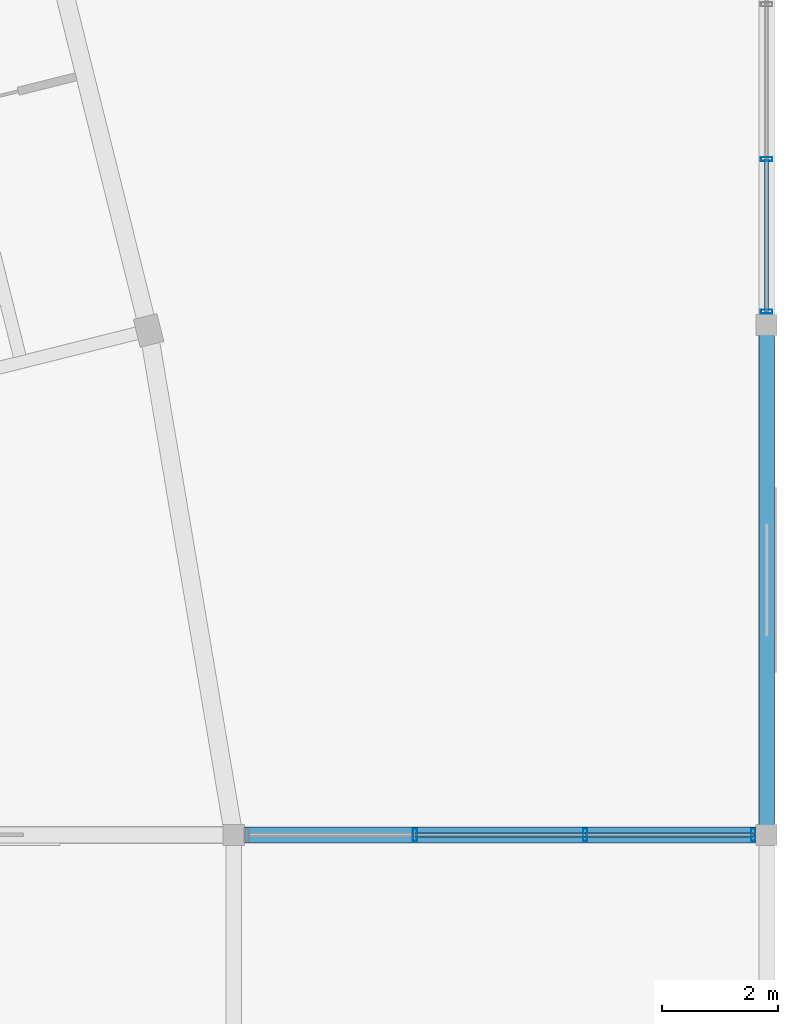
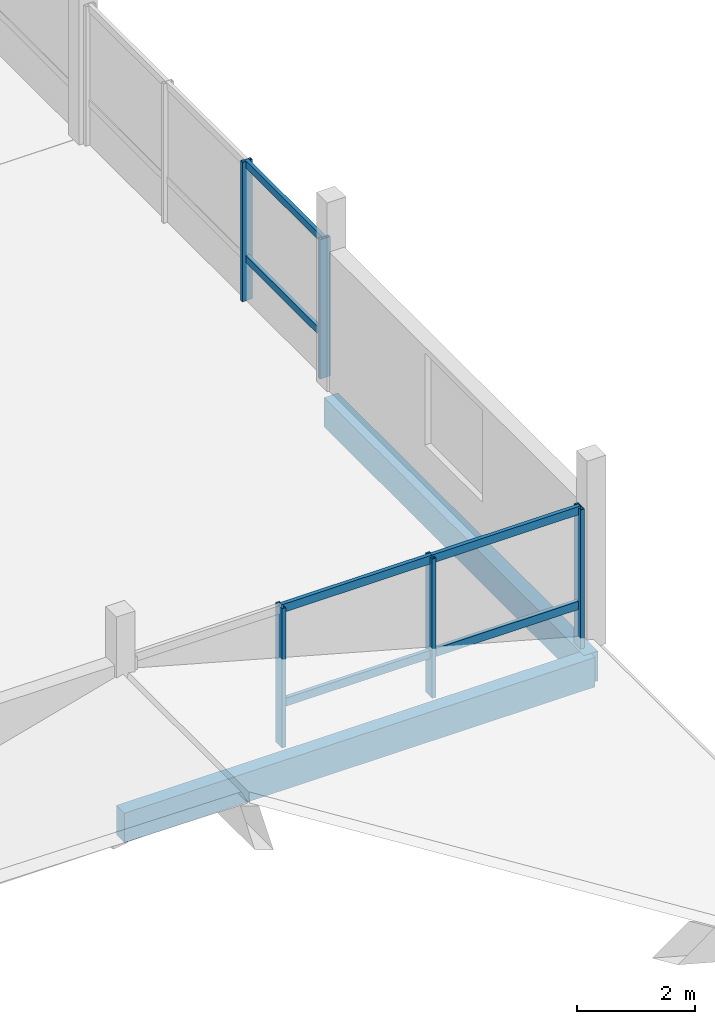
# One storey, part 19 of 39: 11 members, 2 beams, 2 elements without a shape of their own.
"""IFC4 building model written with IfcOpenShell, lengths in metres."""

from ifc_helpers import new_model, si_unit, direction, frame, origin, origin_2d, place, context, subcontext, project, spatial, rectangle, hollow_rectangle, extrude, material, layer, layer_set, material_profile, profile_set, type_object, element, aggregate, save


model = new_model("IFC4")

# Units and contexts
model_context = context("Model", 3, precision=1e-05, world=origin(), true_north=direction((0.0, 1.0)))
body_context = subcontext(model_context, "Body", "Model", "MODEL_VIEW")
ifc_project = project(units=[si_unit("LENGTHUNIT", "METRE"), si_unit("AREAUNIT", "SQUARE_METRE"), si_unit("VOLUMEUNIT", "CUBIC_METRE"), si_unit("PLANEANGLEUNIT", "RADIAN"), si_unit("MASSUNIT", "GRAM", prefix="KILO")], contexts=[model_context])

# Site, building, storey
site_placement = place(None, origin())
site = spatial("IfcSite", under=ifc_project, at=site_placement, CompositionType="ELEMENT")
building_placement = place(site_placement, origin())
building = spatial("IfcBuilding", under=site, at=building_placement, Name="Meriwether Solvik Hall", CompositionType="ELEMENT")
storey_placement = place(building_placement, frame((0.0, 0.0, 22.199951171875)))
storey = spatial("IfcBuildingStorey", under=building, at=storey_placement, Name="L05", CompositionType="ELEMENT", Elevation=22.199951171875)

# Beams
ifc_material_1 = material(Name="Glulam Douglas-Fir 24F-V8 GL28h", Category="wood")
ifc_material_profile_1 = material_profile(ifc_material_1, rectangle(XDim=0.27294921875, YDim=0.610107421875, at=origin_2d()), Name="GLB-273X610")
ifc_profile_set_1 = profile_set([ifc_material_profile_1], Name="Glulam Douglas-Fir 24F-V8 GL28h")
beam_type = type_object("IfcBeamType", Name="BM-GL-273X610", PredefinedType="SPANDREL", material=ifc_profile_set_1)
beam_1_placement = place(storey_placement, frame((105.0, 41.199951171875, -0.550048828125), z_axis=(1.0, 0.0, 0.0), x_axis=(0.0, 1.0, 0.0)))
element("IfcBeam", 1, at=beam_1_placement, inside=storey, type_object=beam_type, Name="Podium Girder E:12-13 (L05)", PredefinedType="SPANDREL", context=body_context, shape_type="SweptSolid", body=[
    extrude(rectangle(XDim=0.27294921875, YDim=0.610107421875, at=origin_2d()), origin(), (0.0, 0.0, 1.0), 9.199951171875),
])
beam_2_placement = place(storey_placement, frame((114.199951171875, 41.199951171875, -0.550048828125), z_axis=(0.0, 1.0, 0.0), x_axis=(-1.0, 0.0, 0.0)))
element("IfcBeam", 2, at=beam_2_placement, inside=storey, type_object=beam_type, Name="Podium Girder 13:E-F (L05)", PredefinedType="SPANDREL", context=body_context, shape_type="SweptSolid", body=[
    extrude(rectangle(XDim=0.27294921875, YDim=0.610107421875, at=origin_2d()), origin(), (0.0, 0.0, 1.0), 8.800048828125),
])

# Curtain wall, members
ifc_material_2 = material(Name="Thermally Broken Anodised Aluminium 6063-T6 and Low-E Glass", Category="aluminium")
ifc_layer = layer(ifc_material_2, 0.179931640625)
ifc_layer_set = layer_set([ifc_layer], Name="Thermally Broken Anodised Aluminium 6063-T6 and Low-E Glass")
curtain_wall_type = type_object("IfcCurtainWallType", Name="CW-UNIT-E", PredefinedType="USERDEFINED", material=ifc_layer_set)
curtain_wall_1_placement = place(storey_placement, origin())
curtain_wall_1 = element("IfcCurtainWall", 3, at=curtain_wall_1_placement, inside=storey, type_object=curtain_wall_type, Name="Curtain Wall wing_Y13_6_19 (L05)", ObjectType="UNITISED CURTAIN WALL", PredefinedType="USERDEFINED")
ifc_material_3 = material(Name="Anodised Aluminium 6063-T6", Category="aluminium")
ifc_material_profile_2 = material_profile(ifc_material_3, hollow_rectangle(XDim=0.070068359375, YDim=0.199951171875, WallThickness=0.0048828125, at=origin_2d()), Name="CWM-70X200")
ifc_profile_set_2 = profile_set([ifc_material_profile_2], Name="Anodised Aluminium 6063-T6")
member_type_1 = type_object("IfcMemberType", Name="CW-MUL-70X200", PredefinedType="MULLION", material=ifc_profile_set_2)
member_1_placement = place(storey_placement, frame((114.199951171875, 52.86474609375, 0.0), z_axis=(0.0, 0.0, 1.0), x_axis=(0.0, -1.0, 0.0)))
member_1 = element("IfcMember", 4, at=member_1_placement, type_object=member_type_1, Name="Curtain Wall Mullion 3", PredefinedType="MULLION", context=body_context, shape_type="SweptSolid", body=[
    extrude(hollow_rectangle(XDim=0.070068359375, YDim=0.199951171875, WallThickness=0.0048828125, at=origin_2d()), origin(), (0.0, 0.0, 1.0), 2.880126953125),
])
member_2_placement = place(storey_placement, frame((114.199951171875, 50.232421875, 0.0), z_axis=(0.0, 0.0, 1.0), x_axis=(0.0, -1.0, 0.0)))
member_2 = element("IfcMember", 5, at=member_2_placement, type_object=member_type_1, Name="Curtain Wall Mullion 4", PredefinedType="MULLION", context=body_context, shape_type="SweptSolid", body=[
    extrude(hollow_rectangle(XDim=0.070068359375, YDim=0.199951171875, WallThickness=0.0048828125, at=origin_2d()), origin(), (0.0, 0.0, 1.0), 2.880126953125),
])

curtain_wall_2_placement = place(storey_placement, origin())
curtain_wall_2 = element("IfcCurtainWall", 6, at=curtain_wall_2_placement, inside=storey, type_object=curtain_wall_type, Name="Curtain Wall wing_XE_12_5 (L05)", ObjectType="UNITISED CURTAIN WALL", PredefinedType="USERDEFINED")
ifc_material_4 = material(Name="Anodised Aluminium 6063-T6", Category="aluminium")
ifc_material_profile_3 = material_profile(ifc_material_4, hollow_rectangle(XDim=0.074951171875, YDim=0.219970703125, WallThickness=0.005615234375, at=origin_2d()), Name="CWM-75X220")
ifc_profile_set_3 = profile_set([ifc_material_profile_3], Name="Anodised Aluminium 6063-T6")
member_type_2 = type_object("IfcMemberType", Name="CW-MUL-75X220", PredefinedType="MULLION", material=ifc_profile_set_3)
member_3_placement = place(storey_placement, frame((113.967529296875, 41.199951171875, 0.0), z_axis=(0.0, 0.0, 1.0), x_axis=(-1.0, 0.0, 0.0)))
member_3 = element("IfcMember", 7, at=member_3_placement, type_object=member_type_2, Name="Curtain Wall Mullion 1", PredefinedType="MULLION", context=body_context, shape_type="SweptSolid", body=[
    extrude(hollow_rectangle(XDim=0.074951171875, YDim=0.219970703125, WallThickness=0.005615234375, at=origin_2d()), origin(), (0.0, 0.0, 1.0), 2.880126953125),
])
member_4_placement = place(storey_placement, frame((111.068603515625, 41.199951171875, 0.0), z_axis=(0.0, 0.0, 1.0), x_axis=(-1.0, 0.0, 0.0)))
member_4 = element("IfcMember", 8, at=member_4_placement, type_object=member_type_2, Name="Curtain Wall Mullion 2", PredefinedType="MULLION", context=body_context, shape_type="SweptSolid", body=[
    extrude(hollow_rectangle(XDim=0.074951171875, YDim=0.219970703125, WallThickness=0.005615234375, at=origin_2d()), origin(), (0.0, 0.0, 1.0), 2.880126953125),
])
member_5_placement = place(storey_placement, frame((108.131591796875, 41.199951171875, 0.0), z_axis=(0.0, 0.0, 1.0), x_axis=(-1.0, 0.0, 0.0)))
member_5 = element("IfcMember", 9, at=member_5_placement, type_object=member_type_2, Name="Curtain Wall Mullion 3", PredefinedType="MULLION", context=body_context, shape_type="SweptSolid", body=[
    extrude(hollow_rectangle(XDim=0.074951171875, YDim=0.219970703125, WallThickness=0.005615234375, at=origin_2d()), origin(), (0.0, 0.0, 1.0), 2.880126953125),
])

# Member
ifc_material_5 = material(Name="Anodised Aluminium 6063-T6", Category="aluminium")
ifc_material_profile_4 = material_profile(ifc_material_5, hollow_rectangle(XDim=0.070068359375, YDim=0.14990234375, WallThickness=0.0048828125, at=origin_2d()), Name="CWT-70X150")
ifc_profile_set_4 = profile_set([ifc_material_profile_4], Name="Anodised Aluminium 6063-T6")
member_type_3 = type_object("IfcMemberType", Name="CW-TRN-70X150", PredefinedType="USERDEFINED", material=ifc_profile_set_4)
member_6_placement = place(storey_placement, frame((114.199951171875, 52.86474609375, 0.864013671875), z_axis=(0.0, -1.0, 0.0), x_axis=(1.0, 0.0, 0.0)))
member_6 = element("IfcMember", 10, at=member_6_placement, type_object=member_type_3, Name="Curtain Wall Transom 3-sill", ObjectType="TRANSOM", PredefinedType="USERDEFINED", context=body_context, shape_type="SweptSolid", body=[
    extrude(hollow_rectangle(XDim=0.070068359375, YDim=0.14990234375, WallThickness=0.0048828125, at=origin_2d()), origin(), (0.0, 0.0, 1.0), 2.63232421875),
])

member_7_placement = place(storey_placement, frame((114.199951171875, 52.86474609375, 2.820068359375), z_axis=(0.0, -1.0, 0.0), x_axis=(1.0, 0.0, 0.0)))
member_7 = element("IfcMember", 11, at=member_7_placement, type_object=member_type_3, Name="Curtain Wall Transom 3-head", ObjectType="TRANSOM", PredefinedType="USERDEFINED", context=body_context, shape_type="SweptSolid", body=[
    extrude(hollow_rectangle(XDim=0.070068359375, YDim=0.14990234375, WallThickness=0.0048828125, at=origin_2d()), origin(), (0.0, 0.0, 1.0), 2.63232421875),
])

aggregate(curtain_wall_1, [member_1, member_2, member_6, member_7])

ifc_material_6 = material(Name="Anodised Aluminium 6063-T6", Category="aluminium")
ifc_material_profile_5 = material_profile(ifc_material_6, hollow_rectangle(XDim=0.074951171875, YDim=0.169921875, WallThickness=0.005615234375, at=origin_2d()), Name="CWT-75X170")
ifc_profile_set_5 = profile_set([ifc_material_profile_5], Name="Anodised Aluminium 6063-T6")
member_type_4 = type_object("IfcMemberType", Name="CW-TRN-75X170", PredefinedType="USERDEFINED", material=ifc_profile_set_5)
member_8_placement = place(storey_placement, frame((113.967529296875, 41.199951171875, 0.864013671875), z_axis=(-1.0, 0.0, 0.0), x_axis=(0.0, -1.0, 0.0)))
member_8 = element("IfcMember", 12, at=member_8_placement, type_object=member_type_4, Name="Curtain Wall Transom 1-sill", ObjectType="TRANSOM", PredefinedType="USERDEFINED", context=body_context, shape_type="SweptSolid", body=[
    extrude(hollow_rectangle(XDim=0.074951171875, YDim=0.169921875, WallThickness=0.005615234375, at=origin_2d()), origin(), (0.0, 0.0, 1.0), 2.89892578125),
])

member_9_placement = place(storey_placement, frame((113.967529296875, 41.199951171875, 2.820068359375), z_axis=(-1.0, 0.0, 0.0), x_axis=(0.0, -1.0, 0.0)))
member_9 = element("IfcMember", 13, at=member_9_placement, type_object=member_type_4, Name="Curtain Wall Transom 1-head", ObjectType="TRANSOM", PredefinedType="USERDEFINED", context=body_context, shape_type="SweptSolid", body=[
    extrude(hollow_rectangle(XDim=0.074951171875, YDim=0.169921875, WallThickness=0.005615234375, at=origin_2d()), origin(), (0.0, 0.0, 1.0), 2.89892578125),
])

member_10_placement = place(storey_placement, frame((111.068603515625, 41.199951171875, 0.864013671875), z_axis=(-1.0, 0.0, 0.0), x_axis=(0.0, -1.0, 0.0)))
member_10 = element("IfcMember", 14, at=member_10_placement, type_object=member_type_4, Name="Curtain Wall Transom 2-sill", ObjectType="TRANSOM", PredefinedType="USERDEFINED", context=body_context, shape_type="SweptSolid", body=[
    extrude(hollow_rectangle(XDim=0.074951171875, YDim=0.169921875, WallThickness=0.005615234375, at=origin_2d()), origin(), (0.0, 0.0, 1.0), 2.93701171875),
])

member_11_placement = place(storey_placement, frame((111.068603515625, 41.199951171875, 2.820068359375), z_axis=(-1.0, 0.0, 0.0), x_axis=(0.0, -1.0, 0.0)))
member_11 = element("IfcMember", 15, at=member_11_placement, type_object=member_type_4, Name="Curtain Wall Transom 2-head", ObjectType="TRANSOM", PredefinedType="USERDEFINED", context=body_context, shape_type="SweptSolid", body=[
    extrude(hollow_rectangle(XDim=0.074951171875, YDim=0.169921875, WallThickness=0.005615234375, at=origin_2d()), origin(), (0.0, 0.0, 1.0), 2.93701171875),
])

aggregate(curtain_wall_2, [member_3, member_4, member_5, member_8, member_9, member_10, member_11])

save(model, "model.ifc")
